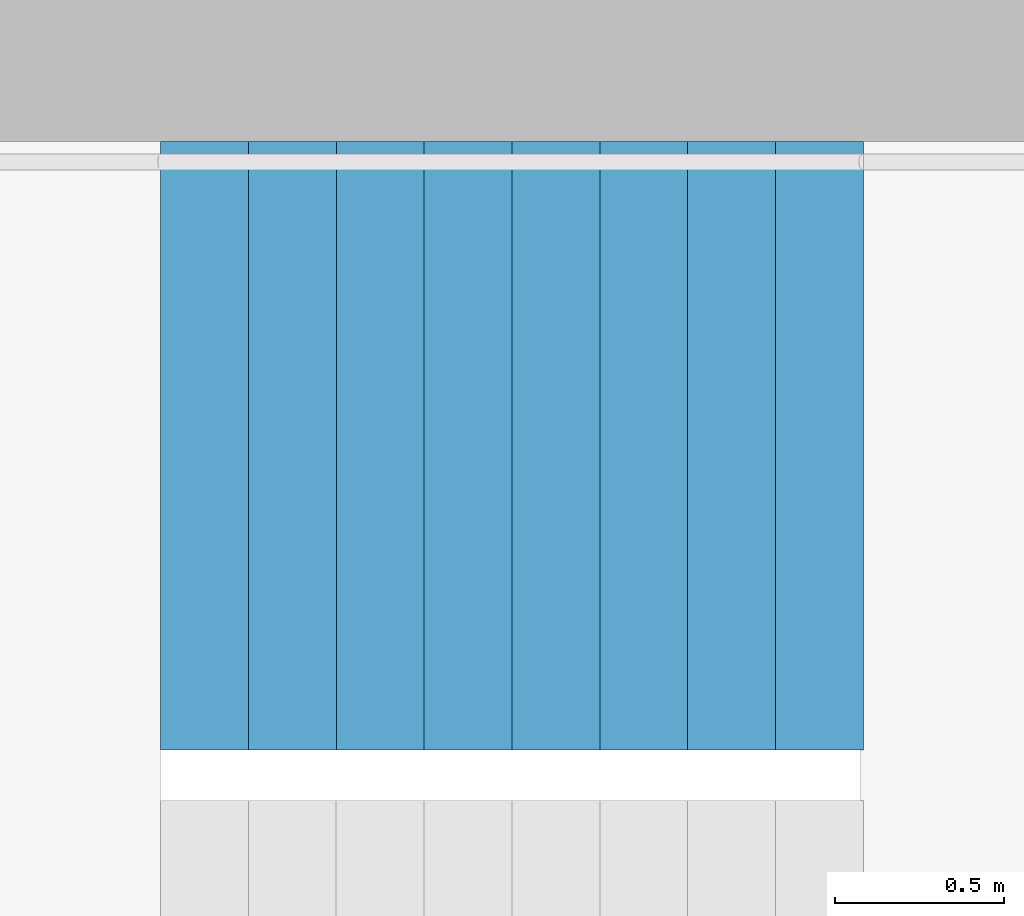
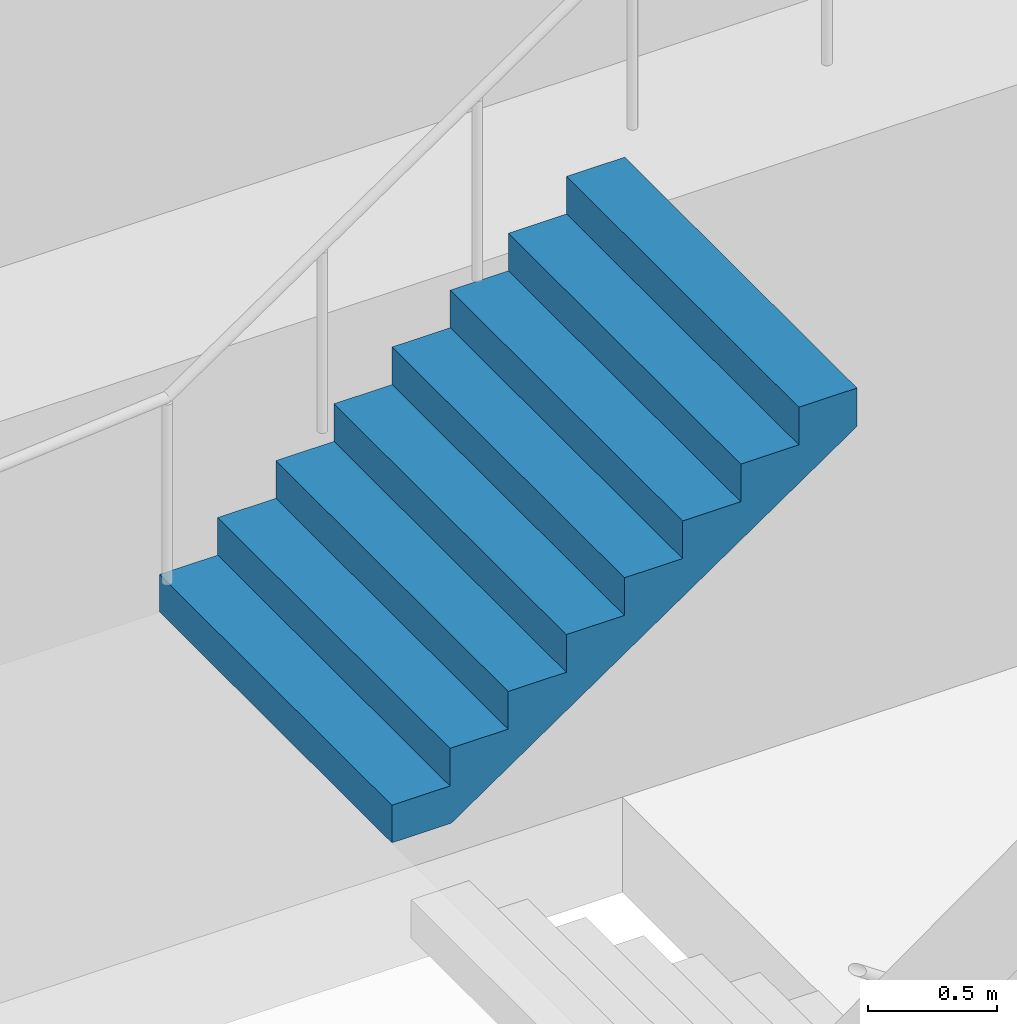
# One storey, part 25 of 26: 1 stair flight, 1 element without a shape of its own.
"""IFC4 building model written with IfcOpenShell, lengths in metres."""

import ifcopenshell
import ifcopenshell.guid

model = None  # the IFC model being written
_history = None  # IfcOwnerHistory: only IFC2X3 demands one
_inside = {}  # id of a spatial element -> (the spatial element, [elements in it])
_under = {}  # id of a project, library or spatial element -> (it, [spatial elements below it])
_declared = {}  # id of a project -> (the project, [libraries it declares])
_typed = {}  # id of a type object -> (the type object, [elements of that type])
_made_of = {}  # id of a material, layer set ... -> (it, [elements and type objects made of it])


def new_model(schema):
    """Start an empty IFC model of exactly this schema.

    Asked for "IFC4X3", IfcOpenShell would pick the latest addendum, in which some entities
    have other attributes; the version numbers below select the first issue.
    IFC2X3 requires an IfcOwnerHistory on every rooted entity: one is made here for all.
    """
    global model, _history
    if schema == "IFC4X3":
        model = ifcopenshell.file(schema_version=(4, 3, 0, 0))
    else:
        model = ifcopenshell.file(schema=schema)
    _inside.clear()
    _under.clear()
    _declared.clear()
    _typed.clear()
    _made_of.clear()
    _history = None
    if model.schema == "IFC2X3":
        org = make("IfcOrganization", Name="unknown")
        user = make(
            "IfcPersonAndOrganization",
            ThePerson=make("IfcPerson", FamilyName="unknown"),
            TheOrganization=org,
        )
        app = make(
            "IfcApplication",
            ApplicationDeveloper=org,
            Version="unknown",
            ApplicationFullName="unknown",
            ApplicationIdentifier="unknown",
        )
        _history = make(
            "IfcOwnerHistory",
            OwningUser=user,
            OwningApplication=app,
            ChangeAction="ADDED",
            CreationDate=0,
        )
    return model


def make(cls, **values):
    """One entity of the class cls with the attributes given. An attribute that is None is left unset."""
    return model.create_entity(
        cls, **{name: value for name, value in values.items() if value is not None}
    )


def rooted(cls, **values):
    """An entity with a GlobalId (a new one), such as an element, a storey or a relation."""
    return make(cls, GlobalId=ifcopenshell.guid.new(), OwnerHistory=_history, **values)


def si_unit(unit_type, name, prefix=None):
    """IfcSIUnit, for example si_unit("LENGTHUNIT", "METRE", prefix="MILLI")."""
    return make("IfcSIUnit", UnitType=unit_type, Prefix=prefix, Name=name)


def assignment(units):
    """IfcUnitAssignment: the units of a project."""
    return None if units is None else make("IfcUnitAssignment", Units=units)


def point(xyz):
    """IfcCartesianPoint."""
    return None if xyz is None else make("IfcCartesianPoint", Coordinates=xyz)


def direction(xyz):
    """IfcDirection."""
    return None if xyz is None else make("IfcDirection", DirectionRatios=xyz)


def frame(location, z_axis=None, x_axis=None):
    """IfcAxis2Placement3D, a coordinate frame: its origin and axes. An axis left out is left unset."""
    return make(
        "IfcAxis2Placement3D",
        Location=point(location),
        Axis=direction(z_axis),
        RefDirection=direction(x_axis),
    )


def origin():
    """The frame at (0, 0, 0) with its axes left unset."""
    return frame((0.0, 0.0, 0.0))


def place(relative_to, where):
    """IfcLocalPlacement: puts the frame where relative to a parent placement (None: the world)."""
    return make(
        "IfcLocalPlacement", PlacementRelTo=relative_to, RelativePlacement=where
    )


def context(
    kind, dimensions, precision=None, world=None, true_north=None, identifier=None
):
    """IfcGeometricRepresentationContext, for example the 3D "Model" context."""
    return make(
        "IfcGeometricRepresentationContext",
        ContextIdentifier=identifier,
        ContextType=kind,
        CoordinateSpaceDimension=dimensions,
        Precision=precision,
        WorldCoordinateSystem=world,
        TrueNorth=true_north,
    )


def subcontext(parent, identifier, kind, view, scale=None):
    """IfcGeometricRepresentationSubContext, for example "Body" below "Model"."""
    return make(
        "IfcGeometricRepresentationSubContext",
        ContextIdentifier=identifier,
        ContextType=kind,
        ParentContext=parent,
        TargetScale=scale,
        TargetView=view,
    )


def project(units=None, contexts=None):
    """IfcProject with its units and contexts."""
    return rooted(
        "IfcProject",
        Name="project",
        RepresentationContexts=contexts,
        UnitsInContext=assignment(units),
    )


def spatial(cls, under=None, at=None, **own):
    """A site, building, storey or space (cls), placed at a placement, below another one or the project."""
    s = rooted(cls, ObjectPlacement=at, **own)
    if under is not None:
        _under.setdefault(under.id(), (under, []))[1].append(s)
    return s


def point_list(points):
    """IfcCartesianPointList2D or 3D."""
    cls = (
        "IfcCartesianPointList2D" if len(points[0]) == 2 else "IfcCartesianPointList3D"
    )
    return make(cls, CoordList=points)


def triangles(points, corners, closed=None, point_numbers=None):
    """IfcTriangulatedFaceSet: each triangle names its three corners, points numbered from 1."""
    return make(
        "IfcTriangulatedFaceSet",
        Coordinates=point_list(points),
        Closed=closed,
        CoordIndex=corners,
        PnIndex=point_numbers,
    )


def shape(context_of_items, identifier, shape_type, items):
    """IfcShapeRepresentation: the items that make up one representation, for example the "Body"."""
    return make(
        "IfcShapeRepresentation",
        ContextOfItems=context_of_items,
        RepresentationIdentifier=identifier,
        RepresentationType=shape_type,
        Items=items,
    )


def material(Name=None, Category=None):
    """IfcMaterial."""
    return make("IfcMaterial", Name=Name, Category=Category)


def made_of(thing, what):
    """Note that an element or type object is made of a material, layer set ...; save() writes the relation."""
    if what is not None:
        _made_of.setdefault(what.id(), (what, []))[1].append(thing)
    return thing


def type_object(cls, material=None, **own):
    """A type object (cls), such as IfcWallType, which elements share."""
    return made_of(rooted(cls, **own), material)


def element(
    cls,
    number,
    at=None,
    inside=None,
    cuts=None,
    type_object=None,
    material=None,
    context=None,
    identifier="Body",
    shape_type=None,
    held_by="IfcProductDefinitionShape",
    body=None,
    shapes=None,
    **own,
):
    """One element of the class cls, such as IfcWall. Its Tag is "e" and its number.

    at: its placement. inside: the storey or other place that contains it. cuts: it is an
    opening in that element (IfcRelVoidsElement). A single representation is given by context,
    identifier, shape_type and body (its items); several are given by shapes. held_by: the class
    of the entity that holds the representations. save() writes the other relations.
    """
    e = rooted(cls, Tag="e%d" % number, ObjectPlacement=at, **own)
    if body is not None:
        shapes = [shape(context, identifier, shape_type, body)]
    if shapes is not None:
        e.Representation = make(held_by, Representations=shapes)
    if inside is not None:
        _inside.setdefault(inside.id(), (inside, []))[1].append(e)
    if cuts is not None:
        rooted(
            "IfcRelVoidsElement", RelatingBuildingElement=cuts, RelatedOpeningElement=e
        )
    if type_object is not None:
        _typed.setdefault(type_object.id(), (type_object, []))[1].append(e)
    return made_of(e, material)


def aggregate(whole, parts):
    """IfcRelAggregates: a whole, such as a stair, and the parts it consists of."""
    return rooted("IfcRelAggregates", RelatingObject=whole, RelatedObjects=parts)


def save(model, path):
    """Write the relations noted so far, then the file.

    IfcRelAggregates (storeys below a building ...), IfcRelContainedInSpatialStructure (elements
    in a storey), IfcRelDefinesByType, IfcRelAssociatesMaterial and IfcRelDeclares: one each for
    every whole, place, type object, material and project.
    """
    for whole, parts in _under.values():
        aggregate(whole, parts)
    for where, things in _inside.values():
        rooted(
            "IfcRelContainedInSpatialStructure",
            RelatedElements=things,
            RelatingStructure=where,
        )
    for kind, things in _typed.values():
        rooted("IfcRelDefinesByType", RelatedObjects=things, RelatingType=kind)
    for what, things in _made_of.values():
        rooted("IfcRelAssociatesMaterial", RelatedObjects=things, RelatingMaterial=what)
    for by, libraries in _declared.values():
        rooted("IfcRelDeclares", RelatingContext=by, RelatedDefinitions=libraries)
    model.write(path)


model = new_model("IFC4")

# Units and contexts
model_context = context("Model", 3, precision=1e-05, world=origin(), true_north=direction((0.0, 1.0)))
body_context = subcontext(model_context, "Body", "Model", "MODEL_VIEW")
ifc_project = project(units=[si_unit("LENGTHUNIT", "METRE"), si_unit("AREAUNIT", "SQUARE_METRE"), si_unit("VOLUMEUNIT", "CUBIC_METRE"), si_unit("PLANEANGLEUNIT", "RADIAN"), si_unit("MASSUNIT", "GRAM", prefix="KILO")], contexts=[model_context])

# Site, building, storey
site_placement = place(None, origin())
site = spatial("IfcSite", under=ifc_project, at=site_placement, CompositionType="ELEMENT")
building_placement = place(site_placement, origin())
building = spatial("IfcBuilding", under=site, at=building_placement, Name="Hakoniwa Tower and Hamabe Station Hall", CompositionType="ELEMENT")
storey_placement = place(building_placement, frame((0.0, 0.0, 140.60009765625)))
storey = spatial("IfcBuildingStorey", under=building, at=storey_placement, Name="L39", CompositionType="ELEMENT", Elevation=140.60009765625)

# Stair, stair flight
ifc_material_1 = material(Name="Concrete C40", Category="concrete")
stair_type = type_object("IfcStairType", Name="ESCAPE STAIR 1800", PredefinedType="HALF_TURN_STAIR", material=ifc_material_1)
stair_placement = place(storey_placement, origin())
stair = element("IfcStair", 1, at=stair_placement, inside=storey, type_object=stair_type, Name="Escape stair ST-3 L39", PredefinedType="HALF_TURN_STAIR")
ifc_material_2 = material(Name="Concrete C40", Category="concrete")
stair_flight_type = type_object("IfcStairFlightType", Name="STAIR FLIGHT 1800", PredefinedType="STRAIGHT", material=ifc_material_2)
stair_flight_placement = place(storey_placement, frame((22.320068359375, 6.60009765625, 1.599853515625), z_axis=(0.0, 0.0, 1.0), x_axis=(1.0, 0.0, 0.0)))
stair_flight = element("IfcStairFlight", 2, at=stair_flight_placement, type_object=stair_flight_type, Name="ST-3 flight 2", NumberOfRisers=9, NumberOfTreads=8, PredefinedType="STRAIGHT", RiserHeight=0.177777778, TreadLength=0.26, context=body_context, shape_type="Tessellation", body=[
    triangles([(0.0, 0.89990234375, 0.0), (0.260009765625, 0.89990234375, 0.0), (0.265625, 0.89990234375, 0.0), (0.52001953125, 0.89990234375, 0.174072265625), (0.780029296875, 0.89990234375, 0.351806640625), (1.0400390625, 0.89990234375, 0.529541015625), (1.300048828125, 0.89990234375, 0.707275390625), (1.56005859375, 0.89990234375, 0.885009765625), (1.820068359375, 0.89990234375, 1.062744140625), (2.080078125, 0.89990234375, 1.24072265625), (2.080078125, 0.89990234375, 1.422119140625), (1.820068359375, 0.89990234375, 1.422119140625), (1.820068359375, 0.89990234375, 1.244384765625), (1.56005859375, 0.89990234375, 1.244384765625), (1.56005859375, 0.89990234375, 1.066650390625), (1.300048828125, 0.89990234375, 1.066650390625), (1.300048828125, 0.89990234375, 0.888916015625), (1.0400390625, 0.89990234375, 0.888916015625), (1.0400390625, 0.89990234375, 0.711181640625), (0.780029296875, 0.89990234375, 0.711181640625), (0.780029296875, 0.89990234375, 0.533447265625), (0.52001953125, 0.89990234375, 0.533447265625), (0.52001953125, 0.89990234375, 0.35546875), (0.265625, 0.89990234375, 0.35546875), (0.260009765625, 0.89990234375, 0.35546875), (0.260009765625, 0.89990234375, 0.177734375), (0.0, 0.89990234375, 0.177734375), (0.0, 0.06005859375, 0.0), (0.260009765625, 0.06005859375, 0.0), (0.265625, 0.06005859375, 0.0), (0.52001953125, 0.06005859375, 0.174072265625), (0.780029296875, 0.06005859375, 0.351806640625), (1.0400390625, 0.06005859375, 0.529541015625), (1.300048828125, 0.06005859375, 0.707275390625), (1.56005859375, 0.06005859375, 0.885009765625), (1.820068359375, 0.06005859375, 1.062744140625), (2.080078125, 0.06005859375, 1.24072265625), (2.080078125, 0.06005859375, 1.422119140625), (1.820068359375, 0.06005859375, 1.422119140625), (1.820068359375, 0.06005859375, 1.244384765625), (1.56005859375, 0.06005859375, 1.244384765625), (1.56005859375, 0.06005859375, 1.066650390625), (1.300048828125, 0.06005859375, 1.066650390625), (1.300048828125, 0.06005859375, 0.888916015625), (1.0400390625, 0.06005859375, 0.888916015625), (1.0400390625, 0.06005859375, 0.711181640625), (0.780029296875, 0.06005859375, 0.711181640625), (0.780029296875, 0.06005859375, 0.533447265625), (0.52001953125, 0.06005859375, 0.533447265625), (0.52001953125, 0.06005859375, 0.35546875), (0.265625, 0.06005859375, 0.35546875), (0.260009765625, 0.06005859375, 0.35546875), (0.260009765625, 0.06005859375, 0.177734375), (0.0, 0.06005859375, 0.177734375), (0.0, 0.04296875, 0.0), (0.260009765625, 0.04296875, 0.0), (0.265625, 0.04296875, 0.0), (0.52001953125, 0.04296875, 0.174072265625), (0.780029296875, 0.04296875, 0.351806640625), (1.0400390625, 0.04296875, 0.529541015625), (1.300048828125, 0.04296875, 0.707275390625), (1.56005859375, 0.04296875, 0.885009765625), (1.820068359375, 0.04296875, 1.062744140625), (2.080078125, 0.04296875, 1.24072265625), (2.080078125, 0.04296875, 1.422119140625), (1.820068359375, 0.04296875, 1.422119140625), (1.820068359375, 0.04296875, 1.244384765625), (1.56005859375, 0.04296875, 1.244384765625), (1.56005859375, 0.04296875, 1.066650390625), (1.300048828125, 0.04296875, 1.066650390625), (1.300048828125, 0.04296875, 0.888916015625), (1.0400390625, 0.04296875, 0.888916015625), (1.0400390625, 0.04296875, 0.711181640625), (0.780029296875, 0.04296875, 0.711181640625), (0.780029296875, 0.04296875, 0.533447265625), (0.52001953125, 0.04296875, 0.533447265625), (0.52001953125, 0.04296875, 0.35546875), (0.265625, 0.04296875, 0.35546875), (0.260009765625, 0.04296875, 0.35546875), (0.260009765625, 0.04296875, 0.177734375), (0.0, 0.04296875, 0.177734375), (0.0, 0.025634765625, 0.0), (0.260009765625, 0.025634765625, 0.0), (0.265625, 0.025634765625, 0.0), (0.52001953125, 0.025634765625, 0.174072265625), (0.780029296875, 0.025634765625, 0.351806640625), (1.0400390625, 0.025634765625, 0.529541015625), (1.300048828125, 0.025634765625, 0.707275390625), (1.56005859375, 0.025634765625, 0.885009765625), (1.820068359375, 0.025634765625, 1.062744140625), (2.080078125, 0.025634765625, 1.24072265625), (2.080078125, 0.025634765625, 1.422119140625), (1.820068359375, 0.025634765625, 1.422119140625), (1.820068359375, 0.025634765625, 1.244384765625), (1.56005859375, 0.025634765625, 1.244384765625), (1.56005859375, 0.025634765625, 1.066650390625), (1.300048828125, 0.025634765625, 1.066650390625), (1.300048828125, 0.025634765625, 0.888916015625), (1.0400390625, 0.025634765625, 0.888916015625), (1.0400390625, 0.025634765625, 0.711181640625), (0.780029296875, 0.025634765625, 0.711181640625), (0.780029296875, 0.025634765625, 0.533447265625), (0.52001953125, 0.025634765625, 0.533447265625), (0.52001953125, 0.025634765625, 0.35546875), (0.265625, 0.025634765625, 0.35546875), (0.260009765625, 0.025634765625, 0.35546875), (0.260009765625, 0.025634765625, 0.177734375), (0.0, 0.025634765625, 0.177734375), (0.0, 0.008544921875, 0.0), (0.260009765625, 0.008544921875, 0.0), (0.265625, 0.008544921875, 0.0), (0.52001953125, 0.008544921875, 0.174072265625), (0.780029296875, 0.008544921875, 0.351806640625), (1.0400390625, 0.008544921875, 0.529541015625), (1.300048828125, 0.008544921875, 0.707275390625), (1.56005859375, 0.008544921875, 0.885009765625), (1.820068359375, 0.008544921875, 1.062744140625), (2.080078125, 0.008544921875, 1.24072265625), (2.080078125, 0.008544921875, 1.422119140625), (1.820068359375, 0.008544921875, 1.422119140625), (1.820068359375, 0.008544921875, 1.244384765625), (1.56005859375, 0.008544921875, 1.244384765625), (1.56005859375, 0.008544921875, 1.066650390625), (1.300048828125, 0.008544921875, 1.066650390625), (1.300048828125, 0.008544921875, 0.888916015625), (1.0400390625, 0.008544921875, 0.888916015625), (1.0400390625, 0.008544921875, 0.711181640625), (0.780029296875, 0.008544921875, 0.711181640625), (0.780029296875, 0.008544921875, 0.533447265625), (0.52001953125, 0.008544921875, 0.533447265625), (0.52001953125, 0.008544921875, 0.35546875), (0.265625, 0.008544921875, 0.35546875), (0.260009765625, 0.008544921875, 0.35546875), (0.260009765625, 0.008544921875, 0.177734375), (0.0, 0.008544921875, 0.177734375), (0.0, -0.008544921875, 0.0), (0.260009765625, -0.008544921875, 0.0), (0.265625, -0.008544921875, 0.0), (0.52001953125, -0.008544921875, 0.174072265625), (0.780029296875, -0.008544921875, 0.351806640625), (1.0400390625, -0.008544921875, 0.529541015625), (1.300048828125, -0.008544921875, 0.707275390625), (1.56005859375, -0.008544921875, 0.885009765625), (1.820068359375, -0.008544921875, 1.062744140625), (2.080078125, -0.008544921875, 1.24072265625), (2.080078125, -0.008544921875, 1.422119140625), (1.820068359375, -0.008544921875, 1.422119140625), (1.820068359375, -0.008544921875, 1.244384765625), (1.56005859375, -0.008544921875, 1.244384765625), (1.56005859375, -0.008544921875, 1.066650390625), (1.300048828125, -0.008544921875, 1.066650390625), (1.300048828125, -0.008544921875, 0.888916015625), (1.0400390625, -0.008544921875, 0.888916015625), (1.0400390625, -0.008544921875, 0.711181640625), (0.780029296875, -0.008544921875, 0.711181640625), (0.780029296875, -0.008544921875, 0.533447265625), (0.52001953125, -0.008544921875, 0.533447265625), (0.52001953125, -0.008544921875, 0.35546875), (0.265625, -0.008544921875, 0.35546875), (0.260009765625, -0.008544921875, 0.35546875), (0.260009765625, -0.008544921875, 0.177734375), (0.0, -0.008544921875, 0.177734375), (0.0, -0.025634765625, 0.0), (0.260009765625, -0.025634765625, 0.0), (0.265625, -0.025634765625, 0.0), (0.52001953125, -0.025634765625, 0.174072265625), (0.780029296875, -0.025634765625, 0.351806640625), (1.0400390625, -0.025634765625, 0.529541015625), (1.300048828125, -0.025634765625, 0.707275390625), (1.56005859375, -0.025634765625, 0.885009765625), (1.820068359375, -0.025634765625, 1.062744140625), (2.080078125, -0.025634765625, 1.24072265625), (2.080078125, -0.025634765625, 1.422119140625), (1.820068359375, -0.025634765625, 1.422119140625), (1.820068359375, -0.025634765625, 1.244384765625), (1.56005859375, -0.025634765625, 1.244384765625), (1.56005859375, -0.025634765625, 1.066650390625), (1.300048828125, -0.025634765625, 1.066650390625), (1.300048828125, -0.025634765625, 0.888916015625), (1.0400390625, -0.025634765625, 0.888916015625), (1.0400390625, -0.025634765625, 0.711181640625), (0.780029296875, -0.025634765625, 0.711181640625), (0.780029296875, -0.025634765625, 0.533447265625), (0.52001953125, -0.025634765625, 0.533447265625), (0.52001953125, -0.025634765625, 0.35546875), (0.265625, -0.025634765625, 0.35546875), (0.260009765625, -0.025634765625, 0.35546875), (0.260009765625, -0.025634765625, 0.177734375), (0.0, -0.025634765625, 0.177734375), (0.0, -0.04296875, 0.0), (0.260009765625, -0.04296875, 0.0), (0.265625, -0.04296875, 0.0), (0.52001953125, -0.04296875, 0.174072265625), (0.780029296875, -0.04296875, 0.351806640625), (1.0400390625, -0.04296875, 0.529541015625), (1.300048828125, -0.04296875, 0.707275390625), (1.56005859375, -0.04296875, 0.885009765625), (1.820068359375, -0.04296875, 1.062744140625), (2.080078125, -0.04296875, 1.24072265625), (2.080078125, -0.04296875, 1.422119140625), (1.820068359375, -0.04296875, 1.422119140625), (1.820068359375, -0.04296875, 1.244384765625), (1.56005859375, -0.04296875, 1.244384765625), (1.56005859375, -0.04296875, 1.066650390625), (1.300048828125, -0.04296875, 1.066650390625), (1.300048828125, -0.04296875, 0.888916015625), (1.0400390625, -0.04296875, 0.888916015625), (1.0400390625, -0.04296875, 0.711181640625), (0.780029296875, -0.04296875, 0.711181640625), (0.780029296875, -0.04296875, 0.533447265625), (0.52001953125, -0.04296875, 0.533447265625), (0.52001953125, -0.04296875, 0.35546875), (0.265625, -0.04296875, 0.35546875), (0.260009765625, -0.04296875, 0.35546875), (0.260009765625, -0.04296875, 0.177734375), (0.0, -0.04296875, 0.177734375), (0.0, -0.06005859375, 0.0), (0.260009765625, -0.06005859375, 0.0), (0.265625, -0.06005859375, 0.0), (0.52001953125, -0.06005859375, 0.174072265625), (0.780029296875, -0.06005859375, 0.351806640625), (1.0400390625, -0.06005859375, 0.529541015625), (1.300048828125, -0.06005859375, 0.707275390625), (1.56005859375, -0.06005859375, 0.885009765625), (1.820068359375, -0.06005859375, 1.062744140625), (2.080078125, -0.06005859375, 1.24072265625), (2.080078125, -0.06005859375, 1.422119140625), (1.820068359375, -0.06005859375, 1.422119140625), (1.820068359375, -0.06005859375, 1.244384765625), (1.56005859375, -0.06005859375, 1.244384765625), (1.56005859375, -0.06005859375, 1.066650390625), (1.300048828125, -0.06005859375, 1.066650390625), (1.300048828125, -0.06005859375, 0.888916015625), (1.0400390625, -0.06005859375, 0.888916015625), (1.0400390625, -0.06005859375, 0.711181640625), (0.780029296875, -0.06005859375, 0.711181640625), (0.780029296875, -0.06005859375, 0.533447265625), (0.52001953125, -0.06005859375, 0.533447265625), (0.52001953125, -0.06005859375, 0.35546875), (0.265625, -0.06005859375, 0.35546875), (0.260009765625, -0.06005859375, 0.35546875), (0.260009765625, -0.06005859375, 0.177734375), (0.0, -0.06005859375, 0.177734375), (0.0, -0.89990234375, 0.0), (0.260009765625, -0.89990234375, 0.0), (0.265625, -0.89990234375, 0.0), (0.52001953125, -0.89990234375, 0.174072265625), (0.780029296875, -0.89990234375, 0.351806640625), (1.0400390625, -0.89990234375, 0.529541015625), (1.300048828125, -0.89990234375, 0.707275390625), (1.56005859375, -0.89990234375, 0.885009765625), (1.820068359375, -0.89990234375, 1.062744140625), (2.080078125, -0.89990234375, 1.24072265625), (2.080078125, -0.89990234375, 1.422119140625), (1.820068359375, -0.89990234375, 1.422119140625), (1.820068359375, -0.89990234375, 1.244384765625), (1.56005859375, -0.89990234375, 1.244384765625), (1.56005859375, -0.89990234375, 1.066650390625), (1.300048828125, -0.89990234375, 1.066650390625), (1.300048828125, -0.89990234375, 0.888916015625), (1.0400390625, -0.89990234375, 0.888916015625), (1.0400390625, -0.89990234375, 0.711181640625), (0.780029296875, -0.89990234375, 0.711181640625), (0.780029296875, -0.89990234375, 0.533447265625), (0.52001953125, -0.89990234375, 0.533447265625), (0.52001953125, -0.89990234375, 0.35546875), (0.265625, -0.89990234375, 0.35546875), (0.260009765625, -0.89990234375, 0.35546875), (0.260009765625, -0.89990234375, 0.177734375), (0.0, -0.89990234375, 0.177734375)], [[2, 27, 26], [245, 269, 270], [2, 1, 27], [245, 270, 244], [3, 25, 24], [246, 267, 268], [3, 26, 25], [246, 268, 269], [3, 2, 26], [246, 269, 245], [4, 24, 23], [247, 266, 267], [4, 3, 24], [247, 267, 246], [5, 22, 21], [248, 264, 265], [5, 23, 22], [248, 265, 266], [5, 4, 23], [248, 266, 247], [6, 20, 19], [249, 262, 263], [6, 21, 20], [249, 263, 264], [6, 5, 21], [249, 264, 248], [7, 18, 17], [250, 260, 261], [7, 19, 18], [250, 261, 262], [7, 6, 19], [250, 262, 249], [8, 16, 15], [251, 258, 259], [8, 17, 16], [251, 259, 260], [8, 7, 17], [251, 260, 250], [9, 14, 13], [252, 256, 257], [9, 15, 14], [252, 257, 258], [9, 8, 15], [252, 258, 251], [10, 12, 11], [253, 254, 255], [10, 13, 12], [253, 255, 256], [10, 9, 13], [253, 256, 252], [1, 2, 29], [1, 29, 28], [28, 29, 56], [28, 56, 55], [55, 56, 83], [55, 83, 82], [82, 83, 110], [82, 110, 109], [109, 110, 137], [109, 137, 136], [136, 137, 164], [136, 164, 163], [163, 164, 191], [163, 191, 190], [190, 191, 218], [190, 218, 217], [217, 218, 245], [217, 245, 244], [2, 3, 30], [2, 30, 29], [29, 30, 57], [29, 57, 56], [56, 57, 84], [56, 84, 83], [83, 84, 111], [83, 111, 110], [110, 111, 138], [110, 138, 137], [137, 138, 165], [137, 165, 164], [164, 165, 192], [164, 192, 191], [191, 192, 219], [191, 219, 218], [218, 219, 246], [218, 246, 245], [3, 4, 31], [3, 31, 30], [30, 31, 58], [30, 58, 57], [57, 58, 85], [57, 85, 84], [84, 85, 112], [84, 112, 111], [111, 112, 139], [111, 139, 138], [138, 139, 166], [138, 166, 165], [165, 166, 193], [165, 193, 192], [192, 193, 220], [192, 220, 219], [219, 220, 247], [219, 247, 246], [4, 5, 32], [4, 32, 31], [31, 32, 59], [31, 59, 58], [58, 59, 86], [58, 86, 85], [85, 86, 113], [85, 113, 112], [112, 113, 140], [112, 140, 139], [139, 140, 167], [139, 167, 166], [166, 167, 194], [166, 194, 193], [193, 194, 221], [193, 221, 220], [220, 221, 248], [220, 248, 247], [5, 6, 33], [5, 33, 32], [32, 33, 60], [32, 60, 59], [59, 60, 87], [59, 87, 86], [86, 87, 114], [86, 114, 113], [113, 114, 141], [113, 141, 140], [140, 141, 168], [140, 168, 167], [167, 168, 195], [167, 195, 194], [194, 195, 222], [194, 222, 221], [221, 222, 249], [221, 249, 248], [6, 7, 34], [6, 34, 33], [33, 34, 61], [33, 61, 60], [60, 61, 88], [60, 88, 87], [87, 88, 115], [87, 115, 114], [114, 115, 142], [114, 142, 141], [141, 142, 169], [141, 169, 168], [168, 169, 196], [168, 196, 195], [195, 196, 223], [195, 223, 222], [222, 223, 250], [222, 250, 249], [7, 8, 35], [7, 35, 34], [34, 35, 62], [34, 62, 61], [61, 62, 89], [61, 89, 88], [88, 89, 116], [88, 116, 115], [115, 116, 143], [115, 143, 142], [142, 143, 170], [142, 170, 169], [169, 170, 197], [169, 197, 196], [196, 197, 224], [196, 224, 223], [223, 224, 251], [223, 251, 250], [8, 9, 36], [8, 36, 35], [35, 36, 63], [35, 63, 62], [62, 63, 90], [62, 90, 89], [89, 90, 117], [89, 117, 116], [116, 117, 144], [116, 144, 143], [143, 144, 171], [143, 171, 170], [170, 171, 198], [170, 198, 197], [197, 198, 225], [197, 225, 224], [224, 225, 252], [224, 252, 251], [9, 10, 37], [9, 37, 36], [36, 37, 64], [36, 64, 63], [63, 64, 91], [63, 91, 90], [90, 91, 118], [90, 118, 117], [117, 118, 145], [117, 145, 144], [144, 145, 172], [144, 172, 171], [171, 172, 199], [171, 199, 198], [198, 199, 226], [198, 226, 225], [225, 226, 253], [225, 253, 252], [10, 11, 38], [10, 38, 37], [37, 38, 65], [37, 65, 64], [64, 65, 92], [64, 92, 91], [91, 92, 119], [91, 119, 118], [118, 119, 146], [118, 146, 145], [145, 146, 173], [145, 173, 172], [172, 173, 200], [172, 200, 199], [199, 200, 227], [199, 227, 226], [226, 227, 254], [226, 254, 253], [11, 12, 39], [11, 39, 38], [38, 39, 66], [38, 66, 65], [65, 66, 93], [65, 93, 92], [92, 93, 120], [92, 120, 119], [119, 120, 147], [119, 147, 146], [146, 147, 174], [146, 174, 173], [173, 174, 201], [173, 201, 200], [200, 201, 228], [200, 228, 227], [227, 228, 255], [227, 255, 254], [12, 13, 40], [12, 40, 39], [39, 40, 67], [39, 67, 66], [66, 67, 94], [66, 94, 93], [93, 94, 121], [93, 121, 120], [120, 121, 148], [120, 148, 147], [147, 148, 175], [147, 175, 174], [174, 175, 202], [174, 202, 201], [201, 202, 229], [201, 229, 228], [228, 229, 256], [228, 256, 255], [13, 14, 41], [13, 41, 40], [40, 41, 68], [40, 68, 67], [67, 68, 95], [67, 95, 94], [94, 95, 122], [94, 122, 121], [121, 122, 149], [121, 149, 148], [148, 149, 176], [148, 176, 175], [175, 176, 203], [175, 203, 202], [202, 203, 230], [202, 230, 229], [229, 230, 257], [229, 257, 256], [14, 15, 42], [14, 42, 41], [41, 42, 69], [41, 69, 68], [68, 69, 96], [68, 96, 95], [95, 96, 123], [95, 123, 122], [122, 123, 150], [122, 150, 149], [149, 150, 177], [149, 177, 176], [176, 177, 204], [176, 204, 203], [203, 204, 231], [203, 231, 230], [230, 231, 258], [230, 258, 257], [15, 16, 43], [15, 43, 42], [42, 43, 70], [42, 70, 69], [69, 70, 97], [69, 97, 96], [96, 97, 124], [96, 124, 123], [123, 124, 151], [123, 151, 150], [150, 151, 178], [150, 178, 177], [177, 178, 205], [177, 205, 204], [204, 205, 232], [204, 232, 231], [231, 232, 259], [231, 259, 258], [16, 17, 44], [16, 44, 43], [43, 44, 71], [43, 71, 70], [70, 71, 98], [70, 98, 97], [97, 98, 125], [97, 125, 124], [124, 125, 152], [124, 152, 151], [151, 152, 179], [151, 179, 178], [178, 179, 206], [178, 206, 205], [205, 206, 233], [205, 233, 232], [232, 233, 260], [232, 260, 259], [17, 18, 45], [17, 45, 44], [44, 45, 72], [44, 72, 71], [71, 72, 99], [71, 99, 98], [98, 99, 126], [98, 126, 125], [125, 126, 153], [125, 153, 152], [152, 153, 180], [152, 180, 179], [179, 180, 207], [179, 207, 206], [206, 207, 234], [206, 234, 233], [233, 234, 261], [233, 261, 260], [18, 19, 46], [18, 46, 45], [45, 46, 73], [45, 73, 72], [72, 73, 100], [72, 100, 99], [99, 100, 127], [99, 127, 126], [126, 127, 154], [126, 154, 153], [153, 154, 181], [153, 181, 180], [180, 181, 208], [180, 208, 207], [207, 208, 235], [207, 235, 234], [234, 235, 262], [234, 262, 261], [19, 20, 47], [19, 47, 46], [46, 47, 74], [46, 74, 73], [73, 74, 101], [73, 101, 100], [100, 101, 128], [100, 128, 127], [127, 128, 155], [127, 155, 154], [154, 155, 182], [154, 182, 181], [181, 182, 209], [181, 209, 208], [208, 209, 236], [208, 236, 235], [235, 236, 263], [235, 263, 262], [20, 21, 48], [20, 48, 47], [47, 48, 75], [47, 75, 74], [74, 75, 102], [74, 102, 101], [101, 102, 129], [101, 129, 128], [128, 129, 156], [128, 156, 155], [155, 156, 183], [155, 183, 182], [182, 183, 210], [182, 210, 209], [209, 210, 237], [209, 237, 236], [236, 237, 264], [236, 264, 263], [21, 22, 49], [21, 49, 48], [48, 49, 76], [48, 76, 75], [75, 76, 103], [75, 103, 102], [102, 103, 130], [102, 130, 129], [129, 130, 157], [129, 157, 156], [156, 157, 184], [156, 184, 183], [183, 184, 211], [183, 211, 210], [210, 211, 238], [210, 238, 237], [237, 238, 265], [237, 265, 264], [22, 23, 50], [22, 50, 49], [49, 50, 77], [49, 77, 76], [76, 77, 104], [76, 104, 103], [103, 104, 131], [103, 131, 130], [130, 131, 158], [130, 158, 157], [157, 158, 185], [157, 185, 184], [184, 185, 212], [184, 212, 211], [211, 212, 239], [211, 239, 238], [238, 239, 266], [238, 266, 265], [23, 24, 51], [23, 51, 50], [50, 51, 78], [50, 78, 77], [77, 78, 105], [77, 105, 104], [104, 105, 132], [104, 132, 131], [131, 132, 159], [131, 159, 158], [158, 159, 186], [158, 186, 185], [185, 186, 213], [185, 213, 212], [212, 213, 240], [212, 240, 239], [239, 240, 267], [239, 267, 266], [24, 25, 52], [24, 52, 51], [51, 52, 79], [51, 79, 78], [78, 79, 106], [78, 106, 105], [105, 106, 133], [105, 133, 132], [132, 133, 160], [132, 160, 159], [159, 160, 187], [159, 187, 186], [186, 187, 214], [186, 214, 213], [213, 214, 241], [213, 241, 240], [240, 241, 268], [240, 268, 267], [25, 26, 53], [25, 53, 52], [52, 53, 80], [52, 80, 79], [79, 80, 107], [79, 107, 106], [106, 107, 134], [106, 134, 133], [133, 134, 161], [133, 161, 160], [160, 161, 188], [160, 188, 187], [187, 188, 215], [187, 215, 214], [214, 215, 242], [214, 242, 241], [241, 242, 269], [241, 269, 268], [26, 27, 54], [26, 54, 53], [53, 54, 81], [53, 81, 80], [80, 81, 108], [80, 108, 107], [107, 108, 135], [107, 135, 134], [134, 135, 162], [134, 162, 161], [161, 162, 189], [161, 189, 188], [188, 189, 216], [188, 216, 215], [215, 216, 243], [215, 243, 242], [242, 243, 270], [242, 270, 269], [27, 1, 28], [27, 28, 54], [54, 28, 55], [54, 55, 81], [81, 55, 82], [81, 82, 108], [108, 82, 109], [108, 109, 135], [135, 109, 136], [135, 136, 162], [162, 136, 163], [162, 163, 189], [189, 163, 190], [189, 190, 216], [216, 190, 217], [216, 217, 243], [243, 217, 244], [243, 244, 270]], closed=True),
])
aggregate(stair, [stair_flight])

save(model, "model.ifc")
